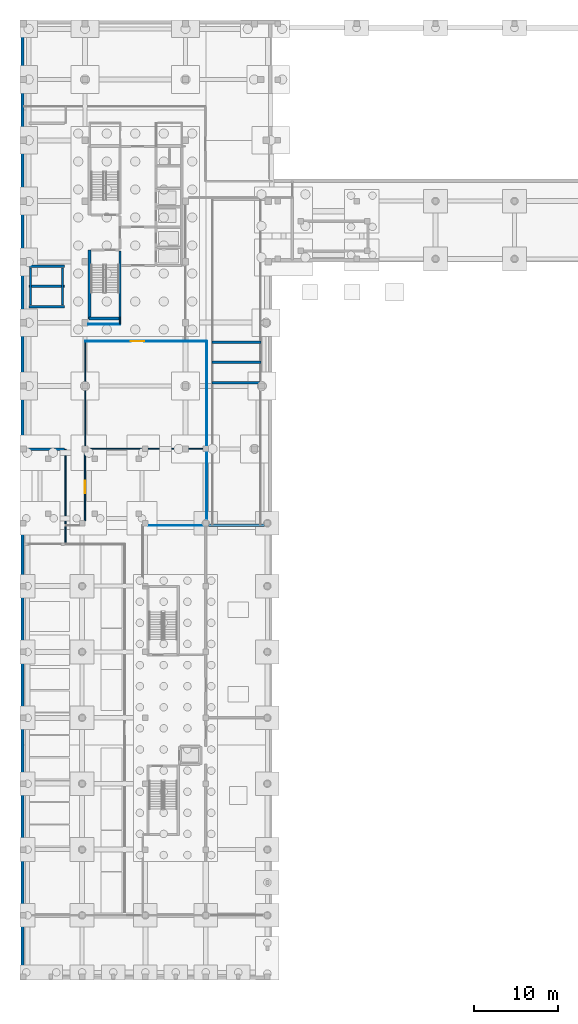
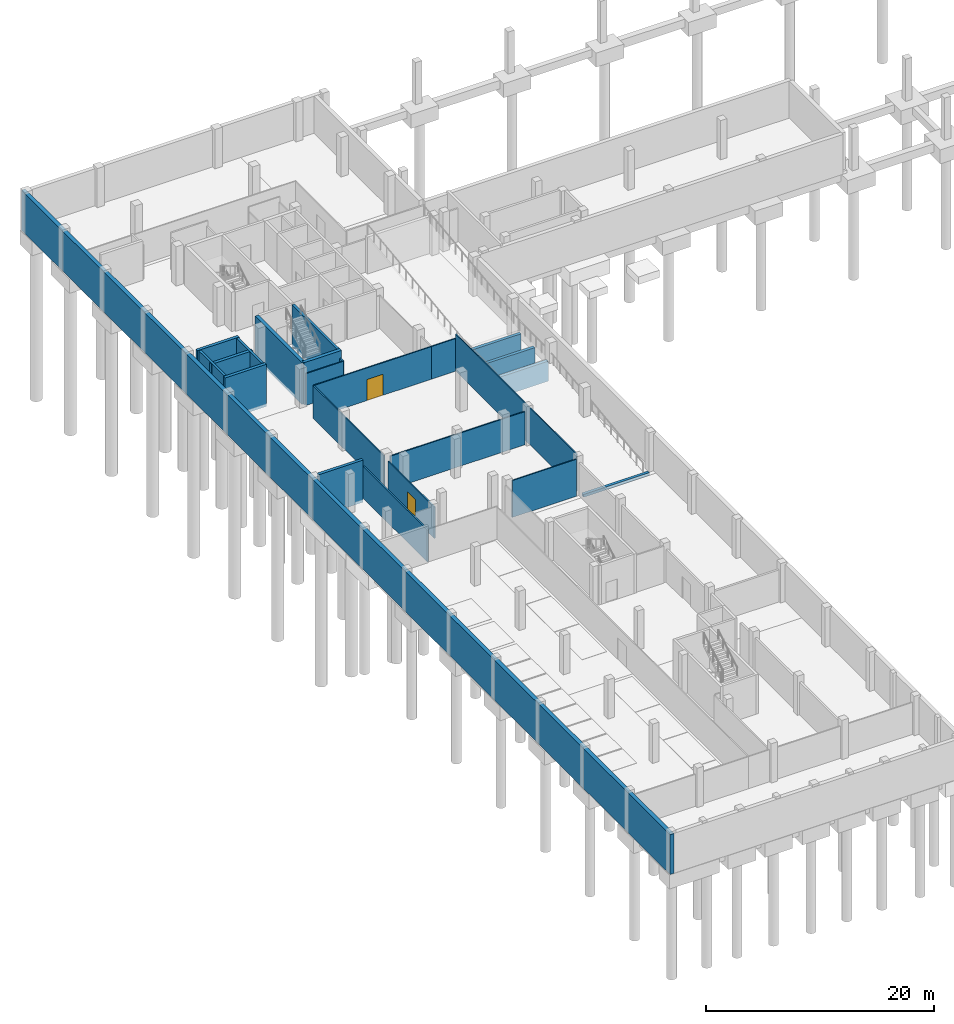
# One storey, part 11 of 21: 24 walls, 2 doors, 2 openings.
"""IFC4 building model written with IfcOpenShell, lengths in metres."""

from ifc_helpers import new_model, si_unit, direction, frame, frame_2d, origin, place, context, subcontext, project, spatial, rectangle, extrude, material, layer, layer_set, type_object, element, fill, save


model = new_model("IFC4")

# Units and contexts
model_context = context("Model", 3, precision=1e-05, world=origin(), true_north=direction((0.0, 1.0)))
body_context = subcontext(model_context, "Body", "Model", "MODEL_VIEW")
ifc_project = project(units=[si_unit("LENGTHUNIT", "METRE"), si_unit("AREAUNIT", "SQUARE_METRE"), si_unit("VOLUMEUNIT", "CUBIC_METRE"), si_unit("PLANEANGLEUNIT", "RADIAN"), si_unit("MASSUNIT", "GRAM", prefix="KILO")], contexts=[model_context])

# Site, building, storey
site_placement = place(None, origin())
site = spatial("IfcSite", under=ifc_project, at=site_placement, CompositionType="ELEMENT")
building_placement = place(site_placement, origin())
building = spatial("IfcBuilding", under=site, at=building_placement, Name="Quillay Park Conservatory", CompositionType="ELEMENT")
storey_placement = place(building_placement, frame((0.0, 0.0, -8.39990234375)))
storey = spatial("IfcBuildingStorey", under=building, at=storey_placement, Name="B2", CompositionType="ELEMENT", Elevation=-8.39990234375)

# Walls
ifc_material_1 = material(Name="Steel-Stud Acoustic Gypsum Board Partition", Category="steel")
ifc_layer_1 = layer(ifc_material_1, 0.10009765625)
ifc_layer_set_1 = layer_set([ifc_layer_1], Name="ACOUSTIC GYPSUM PARTITION 100 (Steel-Stud Acoustic Gypsum Board Partition)")
wall_type_1 = type_object("IfcWallType", Name="ACOUSTIC GYPSUM PARTITION 100", PredefinedType="PARTITIONING", material=ifc_layer_set_1)
wall_1_placement = place(storey_placement, frame((8.219970703125, 77.800048828125, 0.0), z_axis=(0.0, 0.0, 1.0), x_axis=(1.0, 0.0, 0.0)))
element("IfcWall", 1, at=wall_1_placement, inside=storey, type_object=wall_type_1, Name="B2 Core South-West Return", PredefinedType="PARTITIONING", context=body_context, shape_type="SweptSolid", body=[
    extrude(rectangle(XDim=3.780029296875, YDim=0.10009765625, at=frame_2d((1.89013671875, 0.0))), origin(), (0.0, 0.0, 1.0), 3.410888671875),
])
ifc_material_2 = material(Name="Steel-Stud Acoustic Gypsum Board Partition", Category="steel")
ifc_layer_2 = layer(ifc_material_2, 0.10498046875)
ifc_layer_set_2 = layer_set([ifc_layer_2], Name="ACOUSTIC GYPSUM PARTITION 105 (Steel-Stud Acoustic Gypsum Board Partition)")
wall_type_2 = type_object("IfcWallType", Name="ACOUSTIC GYPSUM PARTITION 105", PredefinedType="PARTITIONING", material=ifc_layer_set_2)
wall_2_placement = place(storey_placement, frame((22.25, 54.570068359375, 0.0), z_axis=(0.0, 0.0, 1.0), x_axis=(0.0, 1.0, 0.0)))
element("IfcWall", 2, at=wall_2_placement, inside=storey, type_object=wall_type_2, Name="B2 Sub-Plant East Wall", PredefinedType="PARTITIONING", context=body_context, shape_type="SweptSolid", body=[
    extrude(rectangle(XDim=21.22998046875, YDim=0.10498046875, at=frame_2d((10.614990234375, 0.0))), origin(), (0.0, 0.0, 1.0), 3.949951171875),
])
ifc_material_3 = material(Name="Steel-Stud Acoustic Gypsum Board Partition", Category="steel")
ifc_layer_3 = layer(ifc_material_3, 0.110107421875)
ifc_layer_set_3 = layer_set([ifc_layer_3], Name="ACOUSTIC GYPSUM PARTITION 110 (Steel-Stud Acoustic Gypsum Board Partition)")
wall_type_3 = type_object("IfcWallType", Name="ACOUSTIC GYPSUM PARTITION 110", PredefinedType="PARTITIONING", material=ifc_layer_set_3)
wall_3_placement = place(storey_placement, frame((21.830078125, 53.97998046875, 0.0), z_axis=(0.0, 0.0, 1.0), x_axis=(-1.0, 0.0, 0.0)))
element("IfcWall", 3, at=wall_3_placement, inside=storey, type_object=wall_type_3, Name="B2 East Vault North End Wall", PredefinedType="PARTITIONING", context=body_context, shape_type="SweptSolid", body=[
    extrude(rectangle(XDim=6.510009765625, YDim=0.110107421875, at=frame_2d((3.2548828125, 0.0))), origin(), (0.0, 0.0, 1.0), 3.949951171875),
])
wall_4_placement = place(storey_placement, frame((22.25, 75.800048828125, 0.0), z_axis=(0.0, 0.0, 1.0), x_axis=(-1.0, 0.0, 0.0)))
element("IfcWall", 4, at=wall_4_placement, inside=storey, type_object=wall_type_3, Name="B2 Water/Library North-East Wall", PredefinedType="PARTITIONING", context=body_context, shape_type="SweptSolid", body=[
    extrude(rectangle(XDim=2.5, YDim=0.110107421875, at=frame_2d((1.25, 0.0))), origin(), (0.0, 0.0, 1.0), 3.48681640625),
])

# Wall, opening, door
ifc_material_4 = material(Name="Steel-Stud Acoustic Gypsum Board Partition", Category="steel")
ifc_layer_4 = layer(ifc_material_4, 0.114990234375)
ifc_layer_set_4 = layer_set([ifc_layer_4], Name="ACOUSTIC GYPSUM PARTITION 115 (Steel-Stud Acoustic Gypsum Board Partition)")
wall_type_4 = type_object("IfcWallType", Name="ACOUSTIC GYPSUM PARTITION 115", PredefinedType="PARTITIONING", material=ifc_layer_set_4)
wall_5_placement = place(storey_placement, frame((19.75, 75.800048828125, 0.0), z_axis=(0.0, 0.0, 1.0), x_axis=(-1.0, 0.0, 0.0)))
wall_5 = element("IfcWall", 5, at=wall_5_placement, inside=storey, type_object=wall_type_4, Name="B2 Water/Library North Wall", PredefinedType="PARTITIONING", context=body_context, shape_type="SweptSolid", body=[
    extrude(rectangle(XDim=11.89990234375, YDim=0.114990234375, at=frame_2d((5.949951171875, 0.0))), origin(), (0.0, 0.0, 1.0), 3.48681640625),
])
opening_1_placement = place(wall_5_placement, frame((4.89990234375, 0.0, 0.0)))
opening_1 = element("IfcOpeningElement", 6, at=opening_1_placement, cuts=wall_5, Name="Opening D-PL02", PredefinedType="OPENING", context=body_context, shape_type="SweptSolid", body=[
    extrude(rectangle(XDim=1.60009765625, YDim=2.25, at=frame_2d((0.800048828125, 1.125))), frame((0.0, 0.0576171875, 0.0), z_axis=(0.0, -1.0, 0.0), x_axis=(1.0, 0.0, 0.0)), (0.0, 0.0, 1.0), 0.114990234375),
])
ifc_material_5 = material(Name="Steel ASTM A572 Grade 50", Category="steel")
door_type_1 = type_object("IfcDoorType", Name="FIRE RATED PLANT DOOR 1600 X2250", OperationType="NOTDEFINED", PredefinedType="DOOR", material=ifc_material_5)
door_1_placement = place(opening_1_placement, origin())
door_1 = element("IfcDoor", 7, at=door_1_placement, inside=storey, type_object=door_type_1, Name="B2 Door to B2 Reverse-Osmosis Misting Water Treatment Plant", OperationType="SINGLE_SWING_RIGHT", OverallHeight=2.25, OverallWidth=1.60009765625, PredefinedType="DOOR", context=body_context, shape_type="SweptSolid", body=[
    extrude(rectangle(XDim=1.60009765625, YDim=2.25, at=frame_2d((0.800048828125, 1.125))), frame((0.0, 0.02490234375, 0.0), z_axis=(0.0, -1.0, 0.0), x_axis=(1.0, 0.0, 0.0)), (0.0, 0.0, 1.0), 0.050048828125),
])
fill(opening_1, door_1)

# Walls
ifc_material_6 = material(Name="Steel-Stud Acoustic Gypsum Board Partition", Category="steel")
ifc_layer_5 = layer(ifc_material_6, 0.1201171875)
ifc_layer_set_5 = layer_set([ifc_layer_5], Name="ACOUSTIC GYPSUM PARTITION 120 (Steel-Stud Acoustic Gypsum Board Partition)")
wall_type_5 = type_object("IfcWallType", Name="ACOUSTIC GYPSUM PARTITION 120", PredefinedType="PARTITIONING", material=ifc_layer_set_5)
wall_6_placement = place(storey_placement, frame((7.85009765625, 75.800048828125, 0.0), z_axis=(0.0, 0.0, 1.0), x_axis=(0.0, -1.0, 0.0)))
element("IfcWall", 8, at=wall_6_placement, inside=storey, type_object=wall_type_5, Name="B2 Water/Library West Wall", PredefinedType="PARTITIONING", context=body_context, shape_type="SweptSolid", body=[
    extrude(rectangle(XDim=12.380126953125, YDim=0.1201171875, at=frame_2d((6.18994140625, 0.0))), origin(), (0.0, 0.0, 1.0), 3.48681640625),
])
ifc_material_7 = material(Name="Steel-Stud Acoustic Gypsum Board Partition", Category="steel")
ifc_layer_6 = layer(ifc_material_7, 0.125)
ifc_layer_set_6 = layer_set([ifc_layer_6], Name="ACOUSTIC GYPSUM PARTITION 125 (Steel-Stud Acoustic Gypsum Board Partition)")
wall_type_6 = type_object("IfcWallType", Name="ACOUSTIC GYPSUM PARTITION 125", PredefinedType="PARTITIONING", material=ifc_layer_set_6)
wall_7_placement = place(storey_placement, frame((8.219970703125, 63.050048828125, 0.0), z_axis=(0.0, 0.0, 1.0), x_axis=(1.0, 0.0, 0.0)))
element("IfcWall", 9, at=wall_7_placement, inside=storey, type_object=wall_type_6, Name="B2 Sub-Plant Mid Divider", PredefinedType="PARTITIONING", context=body_context, shape_type="SweptSolid", body=[
    extrude(rectangle(XDim=13.610107421875, YDim=0.125, at=frame_2d((6.80517578125, 0.0))), origin(), (0.0, 0.0, 1.0), 3.536865234375),
])

# Wall, opening, door
ifc_material_8 = material(Name="Steel-Stud Acoustic Gypsum Board Partition", Category="steel")
ifc_layer_7 = layer(ifc_material_8, 0.1298828125)
ifc_layer_set_7 = layer_set([ifc_layer_7], Name="ACOUSTIC GYPSUM PARTITION 130 (Steel-Stud Acoustic Gypsum Board Partition)")
wall_type_7 = type_object("IfcWallType", Name="ACOUSTIC GYPSUM PARTITION 130", PredefinedType="PARTITIONING", material=ifc_layer_set_7)
wall_8_placement = place(storey_placement, frame((7.85009765625, 54.570068359375, 0.0), z_axis=(0.0, 0.0, 1.0), x_axis=(0.0, 1.0, 0.0)))
wall_8 = element("IfcWall", 10, at=wall_8_placement, inside=storey, type_object=wall_type_7, Name="B2 Sub-Plant West Wall", PredefinedType="PARTITIONING", context=body_context, shape_type="SweptSolid", body=[
    extrude(rectangle(XDim=8.10986328125, YDim=0.1298828125, at=frame_2d((4.054931640625, 0.0))), origin(), (0.0, 0.0, 1.0), 3.349853515625),
])
opening_2_placement = place(wall_8_placement, frame((3.235107421875, 0.0, 0.0)))
opening_2 = element("IfcOpeningElement", 11, at=opening_2_placement, cuts=wall_8, Name="Opening D-PL01", PredefinedType="OPENING", context=body_context, shape_type="SweptSolid", body=[
    extrude(rectangle(XDim=1.449951171875, YDim=2.199951171875, at=frame_2d((0.72509765625, 1.10009765625))), frame((0.0, 0.06494140625, 0.0), z_axis=(0.0, -1.0, 0.0), x_axis=(1.0, 0.0, 0.0)), (0.0, 0.0, 1.0), 0.1298828125),
])
ifc_material_9 = material(Name="Steel ASTM A572 Grade 50", Category="steel")
door_type_2 = type_object("IfcDoorType", Name="FIRE RATED PLANT DOOR 1450 X2200", OperationType="NOTDEFINED", PredefinedType="DOOR", material=ifc_material_9)
door_2_placement = place(opening_2_placement, origin())
door_2 = element("IfcDoor", 12, at=door_2_placement, inside=storey, type_object=door_type_2, Name="B2 Door to B2 Fire Reserve Tank and Pump Room", OperationType="SINGLE_SWING_LEFT", OverallHeight=2.199951171875, OverallWidth=1.449951171875, PredefinedType="DOOR", context=body_context, shape_type="SweptSolid", body=[
    extrude(rectangle(XDim=1.449951171875, YDim=2.199951171875, at=frame_2d((0.72509765625, 1.10009765625))), frame((0.0, 0.02490234375, 0.0), z_axis=(0.0, -1.0, 0.0), x_axis=(1.0, 0.0, 0.0)), (0.0, 0.0, 1.0), 0.050048828125),
])
fill(opening_2, door_2)

# Walls
ifc_material_10 = material(Name="Steel-Stud Acoustic Gypsum Board Partition", Category="steel")
ifc_layer_8 = layer(ifc_material_10, 0.14990234375)
ifc_layer_set_8 = layer_set([ifc_layer_8], Name="ACOUSTIC GYPSUM PARTITION 150 (Steel-Stud Acoustic Gypsum Board Partition)")
wall_type_8 = type_object("IfcWallType", Name="ACOUSTIC GYPSUM PARTITION 150", PredefinedType="PARTITIONING", material=ifc_layer_set_8)
wall_9_placement = place(storey_placement, frame((12.0, 77.800048828125, 0.0), z_axis=(0.0, 0.0, 1.0), x_axis=(0.0, 1.0, 0.0)))
element("IfcWall", 13, at=wall_9_placement, inside=storey, type_object=wall_type_8, Name="B2 Core South Vestibule West Wall", PredefinedType="PARTITIONING", context=body_context, shape_type="SweptSolid", body=[
    extrude(rectangle(XDim=0.849853515625, YDim=0.14990234375, at=frame_2d((0.4248046875, 0.0))), origin(), (0.0, 0.0, 1.0), 3.410888671875),
])
wall_10_placement = place(storey_placement, frame((5.550048828125, 63.0, 0.0), z_axis=(0.0, 0.0, 1.0), x_axis=(0.0, -1.0, 0.0)))
element("IfcWall", 14, at=wall_10_placement, inside=storey, type_object=wall_type_8, Name="B2 Spine West Wall South", PredefinedType="PARTITIONING", context=body_context, shape_type="SweptSolid", body=[
    extrude(rectangle(XDim=11.219970703125, YDim=0.14990234375, at=frame_2d((5.60986328125, 0.0))), origin(), (0.0, 0.0, 1.0), 3.410888671875),
])
ifc_material_11 = material(Name="Concrete C40/50 (NCh170 Concrete C40/50)", Category="concrete")
ifc_layer_9 = layer(ifc_material_11, 0.25)
ifc_layer_set_9 = layer_set([ifc_layer_9], Name="CORE SHEAR WALL 250 (Concrete C40/50 (NCh170 Concrete C40/50))")
wall_type_9 = type_object("IfcWallType", Name="CORE SHEAR WALL 250", PredefinedType="SHEAR", material=ifc_layer_set_9)
wall_11_placement = place(storey_placement, frame((11.9951171875, 78.64990234375, -0.300048828125), z_axis=(0.0, 0.0, 1.0), x_axis=(0.0, 1.0, 0.0)))
element("IfcWall", 15, at=wall_11_placement, inside=storey, type_object=wall_type_9, Name="B2 Core Shear Wall WL-T2E-B2", PredefinedType="SHEAR", context=body_context, shape_type="SweptSolid", body=[
    extrude(rectangle(XDim=7.85009765625, YDim=0.25, at=frame_2d((3.925048828125, 0.0))), origin(), (0.0, 0.0, 1.0), 4.5),
])
for number, where, z_axis, x_axis, name in (
    (16, (1.39990234375, 80.10009765625, -0.300048828125), (0.0, 0.0, 1.0), (0.0, 1.0, 0.0), "B2 Core Shear Wall WL-RMP1-LONGB2-1"),
    (17, (5.199951171875, 80.10009765625, -0.300048828125), (0.0, 0.0, 1.0), (0.0, 1.0, 0.0), "B2 Core Shear Wall WL-RMP1-LONGB2-2"),
):
    element("IfcWall", number, at=place(storey_placement, frame(where, z_axis=z_axis, x_axis=x_axis)), inside=storey, type_object=wall_type_9, Name=name, PredefinedType="SHEAR", context=body_context, shape_type="SweptSolid", body=[
        extrude(rectangle(XDim=4.39990234375, YDim=0.25, at=frame_2d((2.199951171875, 0.0))), origin(), (0.0, 0.0, 1.0), 4.5),
    ])
ifc_material_12 = material(Name="Concrete C40/50 (NCh170 Concrete C40/50)", Category="concrete")
ifc_layer_10 = layer(ifc_material_12, 0.300048828125)
ifc_layer_set_10 = layer_set([ifc_layer_10], Name="CORE SHEAR WALL 300 (Concrete C40/50 (NCh170 Concrete C40/50))")
wall_type_10 = type_object("IfcWallType", Name="CORE SHEAR WALL 300", PredefinedType="SHEAR", material=ifc_layer_set_10)
wall_12_placement = place(storey_placement, frame((0.925048828125, 63.0, -0.300048828125), z_axis=(0.0, 0.0, 1.0), x_axis=(1.0, 0.0, 0.0)))
element("IfcWall", 18, at=wall_12_placement, inside=storey, type_object=wall_type_10, Name="B2 Core Shear Wall WL-RMP1-PIERB2-1", PredefinedType="SHEAR", context=body_context, shape_type="SweptSolid", body=[
    extrude(rectangle(XDim=4.474853515625, YDim=0.300048828125, at=frame_2d((2.2373046875, 0.0))), origin(), (0.0, 0.0, 1.0), 4.5),
])
for number, where, z_axis, x_axis, name in (
    (19, (1.199951171875, 79.89990234375, -0.300048828125), (0.0, 0.0, 1.0), (1.0, 0.0, 0.0), "B2 Core Shear Wall WL-RMP1-PIERB2-2"),
    (20, (1.199951171875, 82.300048828125, -0.300048828125), (0.0, 0.0, 1.0), (1.0, 0.0, 0.0), "B2 Core Shear Wall WL-RMP1-PIERB2-3"),
    (21, (1.199951171875, 84.699951171875, -0.300048828125), (0.0, 0.0, 1.0), (1.0, 0.0, 0.0), "B2 Core Shear Wall WL-RMP1-PIERB2-4"),
):
    element("IfcWall", number, at=place(storey_placement, frame(where, z_axis=z_axis, x_axis=x_axis)), inside=storey, type_object=wall_type_10, Name=name, PredefinedType="SHEAR", context=body_context, shape_type="SweptSolid", body=[
        extrude(rectangle(XDim=4.199951171875, YDim=0.300048828125, at=frame_2d((2.10009765625, 0.0))), origin(), (0.0, 0.0, 1.0), 4.5),
    ])
wall_13_placement = place(storey_placement, frame((22.89990234375, 75.699951171875, -0.300048828125), z_axis=(0.0, 0.0, 1.0), x_axis=(1.0, 0.0, 0.0)))
element("IfcWall", 22, at=wall_13_placement, inside=storey, type_object=wall_type_10, Name="B2 Core Shear Wall WL-RMP2-PIERB2-2", PredefinedType="SHEAR", context=body_context, shape_type="SweptSolid", body=[
    extrude(rectangle(XDim=5.800048828125, YDim=0.300048828125, at=frame_2d((2.89990234375, 0.0))), origin(), (0.0, 0.0, 1.0), 2.139892578125),
])
wall_14_placement = place(storey_placement, frame((22.89990234375, 73.300048828125, -0.300048828125), z_axis=(0.0, 0.0, 1.0), x_axis=(1.0, 0.0, 0.0)))
element("IfcWall", 23, at=wall_14_placement, inside=storey, type_object=wall_type_10, Name="B2 Core Shear Wall WL-RMP2-PIERB2-3", PredefinedType="SHEAR", context=body_context, shape_type="SweptSolid", body=[
    extrude(rectangle(XDim=5.800048828125, YDim=0.300048828125, at=frame_2d((2.89990234375, 0.0))), origin(), (0.0, 0.0, 1.0), 2.119873046875),
])
wall_15_placement = place(storey_placement, frame((22.89990234375, 70.89990234375, -0.300048828125), z_axis=(0.0, 0.0, 1.0), x_axis=(1.0, 0.0, 0.0)))
element("IfcWall", 24, at=wall_15_placement, inside=storey, type_object=wall_type_10, Name="B2 Core Shear Wall WL-RMP2-PIERB2-4", PredefinedType="SHEAR", context=body_context, shape_type="SweptSolid", body=[
    extrude(rectangle(XDim=5.800048828125, YDim=0.300048828125, at=frame_2d((2.89990234375, 0.0))), origin(), (0.0, 0.0, 1.0), 2.135009765625),
])
wall_16_placement = place(storey_placement, frame((22.47509765625, 54.0, -0.300048828125), z_axis=(0.0, 0.0, 1.0), x_axis=(1.0, 0.0, 0.0)))
element("IfcWall", 25, at=wall_16_placement, inside=storey, type_object=wall_type_10, Name="B2 Core Shear Wall WL-RMP2-PIERB2-5", PredefinedType="SHEAR", context=body_context, shape_type="SweptSolid", body=[
    extrude(rectangle(XDim=6.64990234375, YDim=0.300048828125, at=frame_2d((3.324951171875, 0.0))), origin(), (0.0, 0.0, 1.0), 0.300048828125),
])
ifc_material_13 = material(Name="Concrete C40/50 (NCh170 Concrete C40/50)", Category="concrete")
ifc_layer_11 = layer(ifc_material_13, 0.35009765625)
ifc_layer_set_11 = layer_set([ifc_layer_11], Name="CORE SHEAR WALL 350 (Concrete C40/50 (NCh170 Concrete C40/50))")
wall_type_11 = type_object("IfcWallType", Name="CORE SHEAR WALL 350", PredefinedType="SHEAR", material=ifc_layer_set_11)
wall_17_placement = place(storey_placement, frame((8.375, 78.449951171875, -0.300048828125), z_axis=(0.0, 0.0, 1.0), x_axis=(0.0, 1.0, 0.0)))
element("IfcWall", 26, at=wall_17_placement, inside=storey, type_object=wall_type_11, Name="B2 Core Shear Wall WL-TCW-S-B2", PredefinedType="SHEAR", context=body_context, shape_type="SweptSolid", body=[
    extrude(rectangle(XDim=8.175048828125, YDim=0.35009765625, at=frame_2d((4.08740234375, 0.0))), origin(), (0.0, 0.0, 1.0), 4.5),
])
wall_18_placement = place(storey_placement, frame((8.35009765625, 78.47509765625, -0.300048828125), z_axis=(0.0, 0.0, 1.0), x_axis=(1.0, 0.0, 0.0)))
element("IfcWall", 27, at=wall_18_placement, inside=storey, type_object=wall_type_11, Name="B2 Core Shear Wall WL-TCS-B2", PredefinedType="SHEAR", context=body_context, shape_type="SweptSolid", body=[
    extrude(rectangle(XDim=3.77001953125, YDim=0.35009765625, at=frame_2d((1.885009765625, 0.0))), origin(), (0.0, 0.0, 1.0), 4.5),
])
ifc_material_14 = material(Name="Concrete C35/45 (NCh170 Concrete C35/45)", Category="concrete")
ifc_layer_12 = layer(ifc_material_14, 0.39990234375)
ifc_layer_set_12 = layer_set([ifc_layer_12], Name="RETAINING WALL 400 (Concrete C35/45 (NCh170 Concrete C35/45))")
wall_type_12 = type_object("IfcWallType", Name="RETAINING WALL 400", PredefinedType="USERDEFINED", material=ifc_layer_set_12)
wall_19_placement = place(storey_placement, frame((0.449951171875, 0.199951171875, -0.300048828125), z_axis=(0.0, 0.0, 1.0), x_axis=(0.0, 1.0, 0.0)))
element("IfcWall", 28, at=wall_19_placement, inside=storey, type_object=wall_type_12, Name="B2 Perimeter Retaining Wall 01", ObjectType="RETAINING WALL", PredefinedType="USERDEFINED", context=body_context, shape_type="SweptSolid", body=[
    extrude(rectangle(XDim=113.60009765625, YDim=0.39990234375, at=frame_2d((56.800048828125, 0.0))), origin(), (0.0, 0.0, 1.0), 4.260009765625),
])

save(model, "model.ifc")
